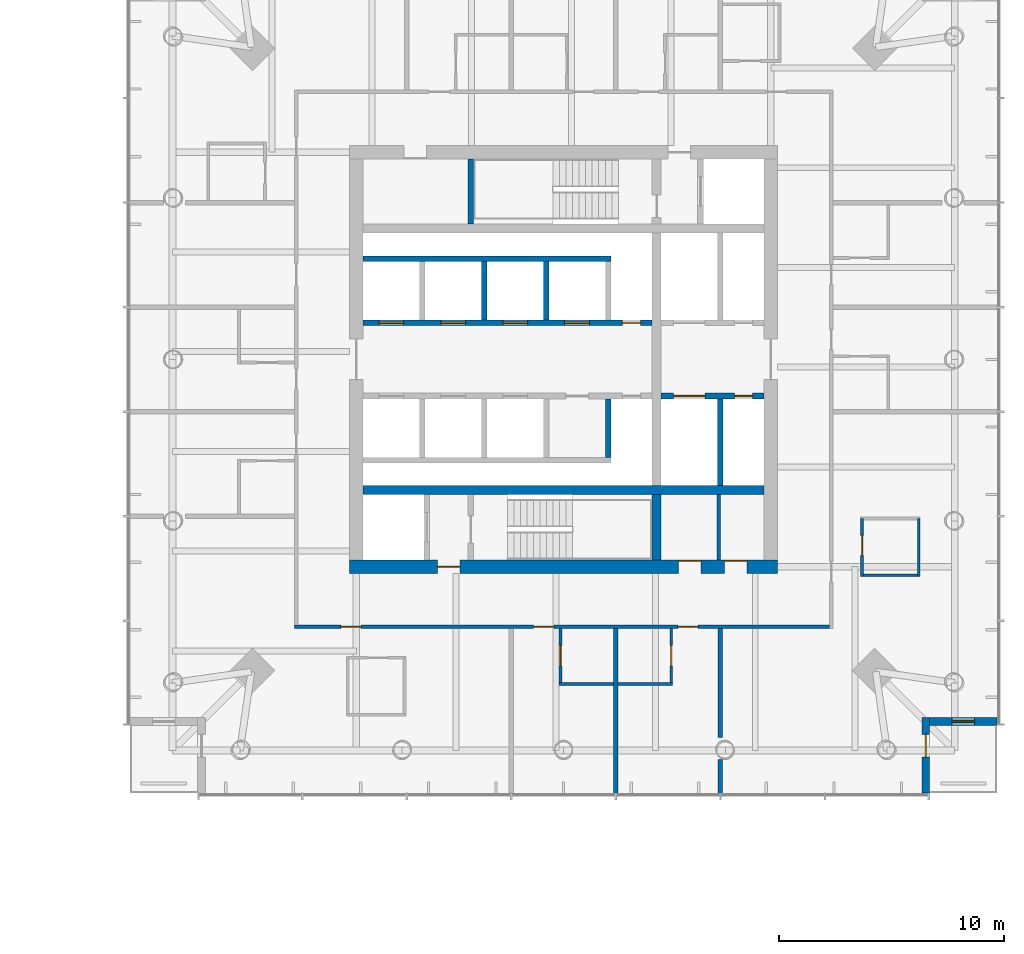
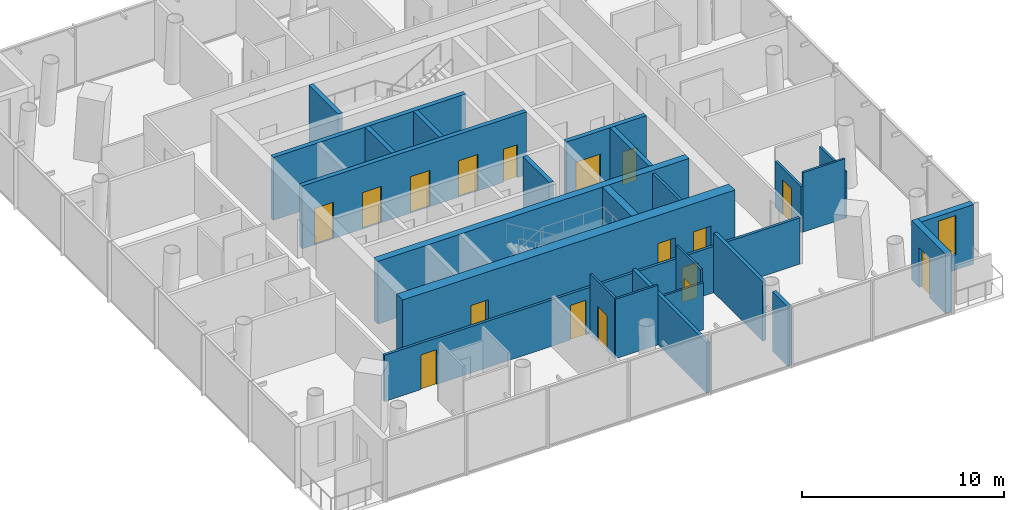
# One storey, part 15 of 21: 25 walls, 17 doors, 1 window, 18 openings.
"""IFC4 building model written with IfcOpenShell, lengths in metres."""

from ifc_helpers import new_model, si_unit, direction, frame, frame_2d, origin, place, context, subcontext, project, spatial, rectangle, extrude, material, layer, layer_set, type_object, element, fill, save


model = new_model("IFC4")

# Units and contexts
model_context = context("Model", 3, precision=1e-05, world=origin(), true_north=direction((0.0, 1.0)))
body_context = subcontext(model_context, "Body", "Model", "MODEL_VIEW")
ifc_project = project(units=[si_unit("LENGTHUNIT", "METRE"), si_unit("AREAUNIT", "SQUARE_METRE"), si_unit("VOLUMEUNIT", "CUBIC_METRE"), si_unit("PLANEANGLEUNIT", "RADIAN"), si_unit("MASSUNIT", "GRAM", prefix="KILO")], contexts=[model_context])

# Site, building, storey
site_placement = place(None, origin())
site = spatial("IfcSite", under=ifc_project, at=site_placement, CompositionType="ELEMENT")
building_placement = place(site_placement, origin())
building = spatial("IfcBuilding", under=site, at=building_placement, Name="Ostroluk Exchange", CompositionType="ELEMENT")
storey_placement = place(building_placement, frame((0.0, 0.0, 59.0)))
storey = spatial("IfcBuildingStorey", under=building, at=storey_placement, Name="L14", CompositionType="ELEMENT", Elevation=59.0)

# Walls
ifc_material_1 = material(Name="Concrete blockwork", Category="masonry")
ifc_layer_1 = layer(ifc_material_1, 0.14990234375)
ifc_layer_set_1 = layer_set([ifc_layer_1], Name="Blockwork plant room wall 150")
wall_type_1 = type_object("IfcWallType", Name="Blockwork plant room wall 150", PredefinedType="SOLIDWALL", material=ifc_layer_set_1)
wall_1_placement = place(storey_placement, frame((123.88916015625, 37.10009765625, 0.0), z_axis=(0.0, 0.0, 1.0), x_axis=(0.0, 1.0, 0.0)))
element("IfcWall", 1, at=wall_1_placement, inside=storey, type_object=wall_type_1, Name="Core room wall", PredefinedType="SOLIDWALL", context=body_context, shape_type="SweptSolid", body=[
    extrude(rectangle(XDim=2.89990234375, YDim=0.14990234375, at=frame_2d((1.449951171875, 0.0))), origin(), (0.0, 0.0, 1.0), 3.60009765625),
])
ifc_material_2 = material(Name="Concrete C50/60", Category="concrete")
ifc_layer_2 = layer(ifc_material_2, 0.39990234375)
ifc_layer_set_2 = layer_set([ifc_layer_2], Name="Core cross wall 400 C50/60")
wall_type_2 = type_object("IfcWallType", Name="Core cross wall 400 C50/60", PredefinedType="SHEAR", material=ifc_layer_set_2)
wall_2_placement = place(storey_placement, frame((108.10009765625, 40.199951171875, 0.0), z_axis=(0.0, 0.0, 1.0), x_axis=(1.0, 0.0, 0.0)))
element("IfcWall", 2, at=wall_2_placement, inside=storey, type_object=wall_type_2, Name="T2 core wall XS", PredefinedType="SHEAR", context=body_context, shape_type="SweptSolid", body=[
    extrude(rectangle(XDim=17.7998046875, YDim=0.39990234375, at=frame_2d((8.89990234375, 0.0))), origin(), (0.0, 0.0, 1.0), 3.800048828125),
])
wall_3_placement = place(storey_placement, frame((121.1298828125, 37.10009765625, 0.0), z_axis=(0.0, 0.0, 1.0), x_axis=(0.0, 1.0, 0.0)))
element("IfcWall", 3, at=wall_3_placement, inside=storey, type_object=wall_type_2, Name="T2 core wall YE1", PredefinedType="SHEAR", context=body_context, shape_type="SweptSolid", body=[
    extrude(rectangle(XDim=2.89990234375, YDim=0.39990234375, at=frame_2d((1.449951171875, 0.0))), origin(), (0.0, 0.0, 1.0), 3.800048828125),
])
ifc_material_3 = material(Name="Concrete C40/50", Category="concrete")
ifc_layer_3 = layer(ifc_material_3, 0.25)
ifc_layer_set_3 = layer_set([ifc_layer_3], Name="Core shaft wall 250")
wall_type_3 = type_object("IfcWallType", Name="Core shaft wall 250", PredefinedType="SHEAR", material=ifc_layer_set_3)
wall_4_placement = place(storey_placement, frame((112.875, 52.0, 0.0), z_axis=(0.0, 0.0, 1.0), x_axis=(0.0, 1.0, 0.0)))
element("IfcWall", 4, at=wall_4_placement, inside=storey, type_object=wall_type_3, Name="Stair shaft wall", PredefinedType="SHEAR", context=body_context, shape_type="SweptSolid", body=[
    extrude(rectangle(XDim=2.89990234375, YDim=0.25, at=frame_2d((1.449951171875, 0.0))), origin(), (0.0, 0.0, 1.0), 3.800048828125),
])
for number, where, z_axis, x_axis, name in (
    (5, (113.47509765625, 47.75, 0.0), (0.0, 0.0, 1.0), (0.0, 1.0, 0.0), "Lift shaft wall"),
    (6, (116.22509765625, 47.75, 0.0), (0.0, 0.0, 1.0), (0.0, 1.0, 0.0), "Lift shaft wall"),
):
    element("IfcWall", number, at=place(storey_placement, frame(where, z_axis=z_axis, x_axis=x_axis)), inside=storey, type_object=wall_type_3, Name=name, PredefinedType="SHEAR", context=body_context, shape_type="SweptSolid", body=[
        extrude(rectangle(XDim=2.60009765625, YDim=0.25, at=frame_2d((1.300048828125, 0.0))), origin(), (0.0, 0.0, 1.0), 3.800048828125),
    ])
wall_5_placement = place(storey_placement, frame((108.10009765625, 50.47509765625, 0.0), z_axis=(0.0, 0.0, 1.0), x_axis=(1.0, 0.0, 0.0)))
element("IfcWall", 7, at=wall_5_placement, inside=storey, type_object=wall_type_3, Name="Lift shaft wall", PredefinedType="SHEAR", context=body_context, shape_type="SweptSolid", body=[
    extrude(rectangle(XDim=11.0, YDim=0.25, at=frame_2d((5.5, 0.0))), origin(), (0.0, 0.0, 1.0), 3.800048828125),
])

# Wall, openings, doors
wall_6_placement = place(storey_placement, frame((108.10009765625, 47.625, 0.0), z_axis=(0.0, 0.0, 1.0), x_axis=(1.0, 0.0, 0.0)))
wall_6 = element("IfcWall", 8, at=wall_6_placement, inside=storey, type_object=wall_type_3, Name="Lift shaft front wall", PredefinedType="SHEAR", context=body_context, shape_type="SweptSolid", body=[
    extrude(rectangle(XDim=12.829833984375, YDim=0.25, at=frame_2d((6.4150390625, 0.0))), origin(), (0.0, 0.0, 1.0), 3.800048828125),
])
opening_1_placement = place(wall_6_placement, frame((0.699951171875, 0.0, 0.0)))
opening_1 = element("IfcOpeningElement", 9, at=opening_1_placement, cuts=wall_6, Name="Opening LD", PredefinedType="OPENING", context=body_context, shape_type="SweptSolid", body=[
    extrude(rectangle(XDim=1.10009765625, YDim=2.199951171875, at=frame_2d((0.550048828125, 1.10009765625))), frame((0.0, 0.135009765625, 0.0), z_axis=(0.0, -1.0, 0.0), x_axis=(1.0, 0.0, 0.0)), (0.0, 0.0, 1.0), 0.27001953125),
])
opening_2_placement = place(wall_6_placement, frame((3.449951171875, 0.0, 0.0)))
opening_2 = element("IfcOpeningElement", 10, at=opening_2_placement, cuts=wall_6, Name="Opening LD", PredefinedType="OPENING", context=body_context, shape_type="SweptSolid", body=[
    extrude(rectangle(XDim=1.10009765625, YDim=2.199951171875, at=frame_2d((0.550048828125, 1.10009765625))), frame((0.0, 0.135009765625, 0.0), z_axis=(0.0, -1.0, 0.0), x_axis=(1.0, 0.0, 0.0)), (0.0, 0.0, 1.0), 0.27001953125),
])
opening_3_placement = place(wall_6_placement, frame((6.199951171875, 0.0, 0.0)))
opening_3 = element("IfcOpeningElement", 11, at=opening_3_placement, cuts=wall_6, Name="Opening LD", PredefinedType="OPENING", context=body_context, shape_type="SweptSolid", body=[
    extrude(rectangle(XDim=1.10009765625, YDim=2.199951171875, at=frame_2d((0.550048828125, 1.10009765625))), frame((0.0, 0.135009765625, 0.0), z_axis=(0.0, -1.0, 0.0), x_axis=(1.0, 0.0, 0.0)), (0.0, 0.0, 1.0), 0.27001953125),
])
opening_4_placement = place(wall_6_placement, frame((8.949951171875, 0.0, 0.0)))
opening_4 = element("IfcOpeningElement", 12, at=opening_4_placement, cuts=wall_6, Name="Opening LD", PredefinedType="OPENING", context=body_context, shape_type="SweptSolid", body=[
    extrude(rectangle(XDim=1.10009765625, YDim=2.199951171875, at=frame_2d((0.550048828125, 1.10009765625))), frame((0.0, 0.135009765625, 0.0), z_axis=(0.0, -1.0, 0.0), x_axis=(1.0, 0.0, 0.0)), (0.0, 0.0, 1.0), 0.27001953125),
])
opening_5_placement = place(wall_6_placement, frame((11.514892578125, 0.0, 0.0)))
opening_5 = element("IfcOpeningElement", 13, at=opening_5_placement, cuts=wall_6, Name="Opening RD60", PredefinedType="OPENING", context=body_context, shape_type="SweptSolid", body=[
    extrude(rectangle(XDim=0.800048828125, YDim=2.0, at=frame_2d((0.39990234375, 1.0))), frame((0.0, 0.135009765625, 0.0), z_axis=(0.0, -1.0, 0.0), x_axis=(1.0, 0.0, 0.0)), (0.0, 0.0, 1.0), 0.27001953125),
])
ifc_material_4 = material(Name="Stainless steel", Category="steel")
door_type_1 = type_object("IfcDoorType", Name="Lift landing door E 60 1100 x 2200", OperationType="DOUBLE_DOOR_SLIDING", PredefinedType="DOOR", material=ifc_material_4)
door_1_placement = place(opening_1_placement, origin())
door_1 = element("IfcDoor", 14, at=door_1_placement, inside=storey, type_object=door_type_1, Name="Lift HL1 landing door", OperationType="DOUBLE_DOOR_SLIDING", OverallHeight=2.199951171875, OverallWidth=1.10009765625, PredefinedType="DOOR", context=body_context, shape_type="SweptSolid", body=[
    extrude(rectangle(XDim=1.10009765625, YDim=2.199951171875, at=frame_2d((0.550048828125, 1.10009765625))), frame((0.0, 0.02490234375, 0.0), z_axis=(0.0, -1.0, 0.0), x_axis=(1.0, 0.0, 0.0)), (0.0, 0.0, 1.0), 0.050048828125),
])
fill(opening_1, door_1)
door_2_placement = place(opening_2_placement, origin())
door_2 = element("IfcDoor", 15, at=door_2_placement, inside=storey, type_object=door_type_1, Name="Lift HL2 landing door", OperationType="DOUBLE_DOOR_SLIDING", OverallHeight=2.199951171875, OverallWidth=1.10009765625, PredefinedType="DOOR", context=body_context, shape_type="SweptSolid", body=[
    extrude(rectangle(XDim=1.10009765625, YDim=2.199951171875, at=frame_2d((0.550048828125, 1.10009765625))), frame((0.0, 0.02490234375, 0.0), z_axis=(0.0, -1.0, 0.0), x_axis=(1.0, 0.0, 0.0)), (0.0, 0.0, 1.0), 0.050048828125),
])
fill(opening_2, door_2)
door_3_placement = place(opening_3_placement, origin())
door_3 = element("IfcDoor", 16, at=door_3_placement, inside=storey, type_object=door_type_1, Name="Lift HL3 landing door", OperationType="DOUBLE_DOOR_SLIDING", OverallHeight=2.199951171875, OverallWidth=1.10009765625, PredefinedType="DOOR", context=body_context, shape_type="SweptSolid", body=[
    extrude(rectangle(XDim=1.10009765625, YDim=2.199951171875, at=frame_2d((0.550048828125, 1.10009765625))), frame((0.0, 0.02490234375, 0.0), z_axis=(0.0, -1.0, 0.0), x_axis=(1.0, 0.0, 0.0)), (0.0, 0.0, 1.0), 0.050048828125),
])
fill(opening_3, door_3)
door_4_placement = place(opening_4_placement, origin())
door_4 = element("IfcDoor", 17, at=door_4_placement, inside=storey, type_object=door_type_1, Name="Lift HL4 landing door", OperationType="DOUBLE_DOOR_SLIDING", OverallHeight=2.199951171875, OverallWidth=1.10009765625, PredefinedType="DOOR", context=body_context, shape_type="SweptSolid", body=[
    extrude(rectangle(XDim=1.10009765625, YDim=2.199951171875, at=frame_2d((0.550048828125, 1.10009765625))), frame((0.0, 0.02490234375, 0.0), z_axis=(0.0, -1.0, 0.0), x_axis=(1.0, 0.0, 0.0)), (0.0, 0.0, 1.0), 0.050048828125),
])
fill(opening_4, door_4)
ifc_material_5 = material(Name="Steel", Category="steel")
door_type_2 = type_object("IfcDoorType", Name="Riser access door EI 60 800 x 2000", OperationType="SINGLE_SWING_LEFT", PredefinedType="DOOR", material=ifc_material_5)
door_5_placement = place(opening_5_placement, origin())
door_5 = element("IfcDoor", 18, at=door_5_placement, inside=storey, type_object=door_type_2, Name="Riser access door", OperationType="SINGLE_SWING_RIGHT", OverallHeight=2.0, OverallWidth=0.800048828125, PredefinedType="DOOR", context=body_context, shape_type="SweptSolid", body=[
    extrude(rectangle(XDim=0.800048828125, YDim=2.0, at=frame_2d((0.39990234375, 1.0))), frame((0.0, 0.02490234375, 0.0), z_axis=(0.0, -1.0, 0.0), x_axis=(1.0, 0.0, 0.0)), (0.0, 0.0, 1.0), 0.050048828125),
])
fill(opening_5, door_5)

# Walls
wall_7_placement = place(storey_placement, frame((118.97509765625, 44.25, 0.0), z_axis=(0.0, 0.0, 1.0), x_axis=(0.0, -1.0, 0.0)))
element("IfcWall", 19, at=wall_7_placement, inside=storey, type_object=wall_type_3, Name="Lift shaft wall", PredefinedType="SHEAR", context=body_context, shape_type="SweptSolid", body=[
    extrude(rectangle(XDim=2.60009765625, YDim=0.25, at=frame_2d((1.300048828125, 0.0))), origin(), (0.0, 0.0, 1.0), 3.800048828125),
])
wall_8_placement = place(storey_placement, frame((123.955078125, 44.25, 0.0), z_axis=(0.0, 0.0, 1.0), x_axis=(0.0, -1.0, 0.0)))
element("IfcWall", 20, at=wall_8_placement, inside=storey, type_object=wall_type_3, Name="Lift shaft wall", PredefinedType="SHEAR", context=body_context, shape_type="SweptSolid", body=[
    extrude(rectangle(XDim=3.85009765625, YDim=0.25, at=frame_2d((1.925048828125, 0.0))), origin(), (0.0, 0.0, 1.0), 3.800048828125),
])

# Wall, openings, doors
wall_9_placement = place(storey_placement, frame((121.330078125, 44.375, 0.0), z_axis=(0.0, 0.0, 1.0), x_axis=(1.0, 0.0, 0.0)))
wall_9 = element("IfcWall", 21, at=wall_9_placement, inside=storey, type_object=wall_type_3, Name="Lift shaft front wall", PredefinedType="SHEAR", context=body_context, shape_type="SweptSolid", body=[
    extrude(rectangle(XDim=4.56982421875, YDim=0.25, at=frame_2d((2.284912109375, 0.0))), origin(), (0.0, 0.0, 1.0), 3.800048828125),
])
opening_6_placement = place(wall_9_placement, frame((0.550048828125, 0.0, 0.0)))
opening_6 = element("IfcOpeningElement", 22, at=opening_6_placement, cuts=wall_9, Name="Opening LD3", PredefinedType="OPENING", context=body_context, shape_type="SweptSolid", body=[
    extrude(rectangle(XDim=1.39990234375, YDim=2.39990234375, at=frame_2d((0.699951171875, 1.199951171875))), frame((0.0, 0.135009765625, 0.0), z_axis=(0.0, -1.0, 0.0), x_axis=(1.0, 0.0, 0.0)), (0.0, 0.0, 1.0), 0.27001953125),
])
opening_7_placement = place(wall_9_placement, frame((3.260009765625, 0.0, 0.0)))
opening_7 = element("IfcOpeningElement", 23, at=opening_7_placement, cuts=wall_9, Name="Opening RD60", PredefinedType="OPENING", context=body_context, shape_type="SweptSolid", body=[
    extrude(rectangle(XDim=0.800048828125, YDim=2.0, at=frame_2d((0.39990234375, 1.0))), frame((0.0, 0.135009765625, 0.0), z_axis=(0.0, -1.0, 0.0), x_axis=(1.0, 0.0, 0.0)), (0.0, 0.0, 1.0), 0.27001953125),
])
ifc_material_6 = material(Name="Stainless steel", Category="steel")
door_type_3 = type_object("IfcDoorType", Name="Goods lift landing door E 60 1400 x 2400", OperationType="DOUBLE_DOOR_SLIDING", PredefinedType="DOOR", material=ifc_material_6)
door_6_placement = place(opening_6_placement, origin())
door_6 = element("IfcDoor", 24, at=door_6_placement, inside=storey, type_object=door_type_3, Name="Lift HS2 landing door", OperationType="DOUBLE_DOOR_SLIDING", OverallHeight=2.39990234375, OverallWidth=1.39990234375, PredefinedType="DOOR", context=body_context, shape_type="SweptSolid", body=[
    extrude(rectangle(XDim=1.39990234375, YDim=2.39990234375, at=frame_2d((0.699951171875, 1.199951171875))), frame((0.0, 0.02490234375, 0.0), z_axis=(0.0, -1.0, 0.0), x_axis=(1.0, 0.0, 0.0)), (0.0, 0.0, 1.0), 0.050048828125),
])
fill(opening_6, door_6)
door_7_placement = place(opening_7_placement, origin())
door_7 = element("IfcDoor", 25, at=door_7_placement, inside=storey, type_object=door_type_2, Name="Riser access door", OperationType="SINGLE_SWING_RIGHT", OverallHeight=2.0, OverallWidth=0.800048828125, PredefinedType="DOOR", context=body_context, shape_type="SweptSolid", body=[
    extrude(rectangle(XDim=0.800048828125, YDim=2.0, at=frame_2d((0.39990234375, 1.0))), frame((0.0, 0.02490234375, 0.0), z_axis=(0.0, -1.0, 0.0), x_axis=(1.0, 0.0, 0.0)), (0.0, 0.0, 1.0), 0.050048828125),
])
fill(opening_7, door_7)

ifc_material_7 = material(Name="Concrete C50/60", Category="concrete")
ifc_layer_4 = layer(ifc_material_7, 0.60009765625)
ifc_layer_set_4 = layer_set([ifc_layer_4], Name="Core wall 600 C50/60")
wall_type_4 = type_object("IfcWallType", Name="Core wall 600 C50/60", PredefinedType="SHEAR", material=ifc_layer_set_4)
wall_10_placement = place(storey_placement, frame((107.5, 36.800048828125, 0.0), z_axis=(0.0, 0.0, 1.0), x_axis=(1.0, 0.0, 0.0)))
wall_10 = element("IfcWall", 26, at=wall_10_placement, inside=storey, type_object=wall_type_4, Name="T2 core wall S", PredefinedType="SHEAR", context=body_context, shape_type="SweptSolid", body=[
    extrude(rectangle(XDim=19.0, YDim=0.60009765625, at=frame_2d((9.5, 0.0))), origin(), (0.0, 0.0, 1.0), 3.800048828125),
])
opening_8_placement = place(wall_10_placement, frame((3.89990234375, 0.0, 0.0)))
opening_8 = element("IfcOpeningElement", 27, at=opening_8_placement, cuts=wall_10, Name="Opening FD60", PredefinedType="OPENING", context=body_context, shape_type="SweptSolid", body=[
    extrude(rectangle(XDim=1.0, YDim=2.10009765625, at=frame_2d((0.5, 1.050048828125))), frame((0.0, 0.31005859375, 0.0), z_axis=(0.0, -1.0, 0.0), x_axis=(1.0, 0.0, 0.0)), (0.0, 0.0, 1.0), 0.6201171875),
])
opening_9_placement = place(wall_10_placement, frame((14.609619140625, 0.0, 0.0)))
opening_9 = element("IfcOpeningElement", 28, at=opening_9_placement, cuts=wall_10, Name="Opening FD60", PredefinedType="OPENING", context=body_context, shape_type="SweptSolid", body=[
    extrude(rectangle(XDim=1.0, YDim=2.10009765625, at=frame_2d((0.5, 1.050048828125))), frame((0.0, 0.31005859375, 0.0), z_axis=(0.0, -1.0, 0.0), x_axis=(1.0, 0.0, 0.0)), (0.0, 0.0, 1.0), 0.6201171875),
])
opening_10_placement = place(wall_10_placement, frame((16.63916015625, 0.0, 0.0)))
opening_10 = element("IfcOpeningElement", 29, at=opening_10_placement, cuts=wall_10, Name="Opening FD60", PredefinedType="OPENING", context=body_context, shape_type="SweptSolid", body=[
    extrude(rectangle(XDim=1.0, YDim=2.10009765625, at=frame_2d((0.5, 1.050048828125))), frame((0.0, 0.31005859375, 0.0), z_axis=(0.0, -1.0, 0.0), x_axis=(1.0, 0.0, 0.0)), (0.0, 0.0, 1.0), 0.6201171875),
])
ifc_material_8 = material(Name="Steel", Category="steel")
door_type_4 = type_object("IfcDoorType", Name="Fire door EI 60 1000 x 2100", OperationType="SINGLE_SWING_LEFT", PredefinedType="DOOR", material=ifc_material_8)
door_8_placement = place(opening_8_placement, origin())
door_8 = element("IfcDoor", 30, at=door_8_placement, inside=storey, type_object=door_type_4, Name="Firefighting lobby door", OperationType="SINGLE_SWING_LEFT", OverallHeight=2.10009765625, OverallWidth=1.0, PredefinedType="DOOR", context=body_context, shape_type="SweptSolid", body=[
    extrude(rectangle(XDim=1.0, YDim=2.10009765625, at=frame_2d((0.5, 1.050048828125))), frame((0.0, 0.02490234375, 0.0), z_axis=(0.0, -1.0, 0.0), x_axis=(1.0, 0.0, 0.0)), (0.0, 0.0, 1.0), 0.050048828125),
])
fill(opening_8, door_8)
door_9_placement = place(opening_9_placement, origin())
door_9 = element("IfcDoor", 31, at=door_9_placement, inside=storey, type_object=door_type_4, Name="Guest pantry door", OperationType="SINGLE_SWING_RIGHT", OverallHeight=2.10009765625, OverallWidth=1.0, PredefinedType="DOOR", context=body_context, shape_type="SweptSolid", body=[
    extrude(rectangle(XDim=1.0, YDim=2.10009765625, at=frame_2d((0.5, 1.050048828125))), frame((0.0, 0.2900390625, 0.0), z_axis=(0.0, -1.0, 0.0), x_axis=(1.0, 0.0, 0.0)), (0.0, 0.0, 1.0), 0.050048828125),
])
fill(opening_9, door_9)
door_10_placement = place(opening_10_placement, origin())
door_10 = element("IfcDoor", 32, at=door_10_placement, inside=storey, type_object=door_type_4, Name="Luggage store door", OperationType="SINGLE_SWING_RIGHT", OverallHeight=2.10009765625, OverallWidth=1.0, PredefinedType="DOOR", context=body_context, shape_type="SweptSolid", body=[
    extrude(rectangle(XDim=1.0, YDim=2.10009765625, at=frame_2d((0.5, 1.050048828125))), frame((0.0, 0.2900390625, 0.0), z_axis=(0.0, -1.0, 0.0), x_axis=(1.0, 0.0, 0.0)), (0.0, 0.0, 1.0), 0.050048828125),
])
fill(opening_10, door_10)

# Wall, opening, door
ifc_material_9 = material(Name="Limestone", Category="masonry")
ifc_layer_5 = layer(ifc_material_9, 0.35009765625)
ifc_layer_set_5 = layer_set([ifc_layer_5], Name="Limestone facade wall 350")
wall_type_5 = type_object("IfcWallType", Name="Limestone facade wall 350", PredefinedType="SOLIDWALL", material=ifc_layer_set_5)
wall_11_placement = place(storey_placement, frame((133.074951171875, 26.75, 0.0), z_axis=(0.0, 0.0, 1.0), x_axis=(0.0, 1.0, 0.0)))
wall_11 = element("IfcWall", 33, at=wall_11_placement, inside=storey, type_object=wall_type_5, Name="Hotel tower SE corner wall L14 a", PredefinedType="SOLIDWALL", context=body_context, shape_type="SweptSolid", body=[
    extrude(rectangle(XDim=3.35009765625, YDim=0.35009765625, at=frame_2d((1.675048828125, 0.0))), origin(), (0.0, 0.0, 1.0), 3.60009765625),
])
opening_11_placement = place(wall_11_placement, frame((1.60009765625, 0.0, 0.0)))
opening_11 = element("IfcOpeningElement", 34, at=opening_11_placement, cuts=wall_11, Name="Opening D-B1", PredefinedType="OPENING", context=body_context, shape_type="SweptSolid", body=[
    extrude(rectangle(XDim=1.0, YDim=2.39990234375, at=frame_2d((0.5, 1.199951171875))), frame((0.0, 0.18505859375, 0.0), z_axis=(0.0, -1.0, 0.0), x_axis=(1.0, 0.0, 0.0)), (0.0, 0.0, 1.0), 0.3701171875),
])
ifc_material_10 = material(Name="Bronze framed glazed door", Category="aluminium")
door_type_5 = type_object("IfcDoorType", Name="Balcony door 1000 x 2400", OperationType="SINGLE_SWING_LEFT", PredefinedType="DOOR", material=ifc_material_10)
door_11_placement = place(opening_11_placement, origin())
door_11 = element("IfcDoor", 35, at=door_11_placement, inside=storey, type_object=door_type_5, Name="Hotel tower SE balcony door L14", OperationType="SINGLE_SWING_RIGHT", OverallHeight=2.39990234375, OverallWidth=1.0, PredefinedType="DOOR", context=body_context, shape_type="SweptSolid", body=[
    extrude(rectangle(XDim=1.0, YDim=2.39990234375, at=frame_2d((0.5, 1.199951171875))), frame((0.0, 0.02490234375, 0.0), z_axis=(0.0, -1.0, 0.0), x_axis=(1.0, 0.0, 0.0)), (0.0, 0.0, 1.0), 0.050048828125),
])
fill(opening_11, door_11)

# Wall, opening, window
wall_12_placement = place(storey_placement, frame((133.25, 29.925048828125, 0.0), z_axis=(0.0, 0.0, 1.0), x_axis=(1.0, 0.0, 0.0)))
wall_12 = element("IfcWall", 36, at=wall_12_placement, inside=storey, type_object=wall_type_5, Name="Hotel tower SE corner wall L14 b", PredefinedType="SOLIDWALL", context=body_context, shape_type="SweptSolid", body=[
    extrude(rectangle(XDim=3.0, YDim=0.35009765625, at=frame_2d((1.5, 0.0))), origin(), (0.0, 0.0, 1.0), 3.60009765625),
])
opening_12_placement = place(wall_12_placement, frame((1.0, 0.0, 0.89990234375)))
opening_12 = element("IfcOpeningElement", 37, at=opening_12_placement, cuts=wall_12, Name="Opening WN-L3", PredefinedType="OPENING", context=body_context, shape_type="SweptSolid", body=[
    extrude(rectangle(XDim=1.0, YDim=2.39990234375, at=frame_2d((0.5, 1.199951171875))), frame((0.0, 0.18505859375, 0.0), z_axis=(0.0, -1.0, 0.0), x_axis=(1.0, 0.0, 0.0)), (0.0, 0.0, 1.0), 0.3701171875),
])
ifc_material_11 = material(Name="Laminated clear glass", Category="glass")
window_type = type_object("IfcWindowType", Name="Hotel lancet window 1000 x 2400", PartitioningType="SINGLE_PANEL", PredefinedType="WINDOW", material=ifc_material_11)
window_placement = place(opening_12_placement, origin())
window = element("IfcWindow", 38, at=window_placement, inside=storey, type_object=window_type, Name="Hotel tower SE lancet window L14", OverallHeight=2.39990234375, OverallWidth=1.0, PartitioningType="SINGLE_PANEL", PredefinedType="WINDOW", context=body_context, shape_type="SweptSolid", body=[
    extrude(rectangle(XDim=1.0, YDim=2.39990234375, at=frame_2d((0.5, 1.199951171875))), frame((0.0, 0.030029296875, 0.0), z_axis=(0.0, -1.0, 0.0), x_axis=(1.0, 0.0, 0.0)), (0.0, 0.0, 1.0), 0.06005859375),
])
fill(opening_12, window)

# Wall, opening, door
ifc_material_12 = material(Name="Gypsum plasterboard partition, moisture resistant", Category="gypsum")
ifc_layer_6 = layer(ifc_material_12, 0.1201171875)
ifc_layer_set_6 = layer_set([ifc_layer_6], Name="Plasterboard en-suite wall 120")
wall_type_6 = type_object("IfcWallType", Name="Plasterboard en-suite wall 120", PredefinedType="PARTITIONING", material=ifc_layer_set_6)
wall_13_placement = place(storey_placement, frame((130.25, 38.935791015625, 0.0), z_axis=(0.0, 0.0, 1.0), x_axis=(0.0, -1.0, 0.0)))
wall_13 = element("IfcWall", 39, at=wall_13_placement, inside=storey, type_object=wall_type_6, Name="En-suite wall", PredefinedType="PARTITIONING", context=body_context, shape_type="SweptSolid", body=[
    extrude(rectangle(XDim=2.580078125, YDim=0.1201171875, at=frame_2d((1.2900390625, 0.0))), origin(), (0.0, 0.0, 1.0), 2.800048828125),
])
opening_13_placement = place(wall_13_placement, frame((0.75, 0.0, 0.0)))
opening_13 = element("IfcOpeningElement", 40, at=opening_13_placement, cuts=wall_13, Name="Opening D-02", PredefinedType="OPENING", context=body_context, shape_type="SweptSolid", body=[
    extrude(rectangle(XDim=0.89990234375, YDim=2.10009765625, at=frame_2d((0.449951171875, 1.050048828125))), frame((0.0, 0.070068359375, 0.0), z_axis=(0.0, -1.0, 0.0), x_axis=(1.0, 0.0, 0.0)), (0.0, 0.0, 1.0), 0.14013671875),
])
ifc_material_13 = material(Name="Timber", Category="wood")
door_type_6 = type_object("IfcDoorType", Name="En-suite door 900 x 2100", OperationType="SINGLE_SWING_LEFT", PredefinedType="DOOR", material=ifc_material_13)
door_12_placement = place(opening_13_placement, origin())
door_12 = element("IfcDoor", 41, at=door_12_placement, inside=storey, type_object=door_type_6, Name="En-suite door 1401", OperationType="SINGLE_SWING_LEFT", OverallHeight=2.10009765625, OverallWidth=0.89990234375, PredefinedType="DOOR", context=body_context, shape_type="SweptSolid", body=[
    extrude(rectangle(XDim=0.89990234375, YDim=2.10009765625, at=frame_2d((0.449951171875, 1.050048828125))), frame((0.0, 0.02490234375, 0.0), z_axis=(0.0, -1.0, 0.0), x_axis=(1.0, 0.0, 0.0)), (0.0, 0.0, 1.0), 0.050048828125),
])
fill(opening_13, door_12)

# Walls
wall_14_placement = place(storey_placement, frame((132.77001953125, 38.935791015625, 0.0), z_axis=(0.0, 0.0, 1.0), x_axis=(0.0, -1.0, 0.0)))
element("IfcWall", 42, at=wall_14_placement, inside=storey, type_object=wall_type_6, Name="En-suite wall", PredefinedType="PARTITIONING", context=body_context, shape_type="SweptSolid", body=[
    extrude(rectangle(XDim=2.580078125, YDim=0.1201171875, at=frame_2d((1.2900390625, 0.0))), origin(), (0.0, 0.0, 1.0), 2.800048828125),
])
wall_15_placement = place(storey_placement, frame((130.31005859375, 36.415771484375, 0.0), z_axis=(0.0, 0.0, 1.0), x_axis=(1.0, 0.0, 0.0)))
element("IfcWall", 43, at=wall_15_placement, inside=storey, type_object=wall_type_6, Name="En-suite wall", PredefinedType="PARTITIONING", context=body_context, shape_type="SweptSolid", body=[
    extrude(rectangle(XDim=2.39990234375, YDim=0.1201171875, at=frame_2d((1.199951171875, 0.0))), origin(), (0.0, 0.0, 1.0), 3.60009765625),
])
wall_16_placement = place(storey_placement, frame((116.801513671875, 31.590087890625, 0.0), z_axis=(0.0, 0.0, 1.0), x_axis=(1.0, 0.0, 0.0)))
element("IfcWall", 44, at=wall_16_placement, inside=storey, type_object=wall_type_6, Name="En-suite wall", PredefinedType="PARTITIONING", context=body_context, shape_type="SweptSolid", body=[
    extrude(rectangle(XDim=2.419921875, YDim=0.1201171875, at=frame_2d((1.2099609375, 0.0))), origin(), (0.0, 0.0, 1.0), 3.60009765625),
])

# Wall, opening, door
wall_17_placement = place(storey_placement, frame((116.861328125, 34.050048828125, 0.0), z_axis=(0.0, 0.0, 1.0), x_axis=(0.0, -1.0, 0.0)))
wall_17 = element("IfcWall", 45, at=wall_17_placement, inside=storey, type_object=wall_type_6, Name="En-suite wall", PredefinedType="PARTITIONING", context=body_context, shape_type="SweptSolid", body=[
    extrude(rectangle(XDim=2.400146484375, YDim=0.1201171875, at=frame_2d((1.2001953125, 0.0))), origin(), (0.0, 0.0, 1.0), 3.60009765625),
])
opening_14_placement = place(wall_17_placement, frame((0.75, 0.0, 0.0)))
opening_14 = element("IfcOpeningElement", 46, at=opening_14_placement, cuts=wall_17, Name="Opening D-02", PredefinedType="OPENING", context=body_context, shape_type="SweptSolid", body=[
    extrude(rectangle(XDim=0.89990234375, YDim=2.10009765625, at=frame_2d((0.449951171875, 1.050048828125))), frame((0.0, 0.070068359375, 0.0), z_axis=(0.0, -1.0, 0.0), x_axis=(1.0, 0.0, 0.0)), (0.0, 0.0, 1.0), 0.14013671875),
])
door_13_placement = place(opening_14_placement, origin())
door_13 = element("IfcDoor", 47, at=door_13_placement, inside=storey, type_object=door_type_6, Name="En-suite door 1412", OperationType="SINGLE_SWING_RIGHT", OverallHeight=2.10009765625, OverallWidth=0.89990234375, PredefinedType="DOOR", context=body_context, shape_type="SweptSolid", body=[
    extrude(rectangle(XDim=0.89990234375, YDim=2.10009765625, at=frame_2d((0.449951171875, 1.050048828125))), frame((0.0, 0.02490234375, 0.0), z_axis=(0.0, -1.0, 0.0), x_axis=(1.0, 0.0, 0.0)), (0.0, 0.0, 1.0), 0.050048828125),
])
fill(opening_14, door_13)

# Wall
wall_18_placement = place(storey_placement, frame((119.42138671875, 31.590087890625, 0.0), z_axis=(0.0, 0.0, 1.0), x_axis=(1.0, 0.0, 0.0)))
element("IfcWall", 48, at=wall_18_placement, inside=storey, type_object=wall_type_6, Name="En-suite wall", PredefinedType="PARTITIONING", context=body_context, shape_type="SweptSolid", body=[
    extrude(rectangle(XDim=2.419921875, YDim=0.1201171875, at=frame_2d((1.2099609375, 0.0))), origin(), (0.0, 0.0, 1.0), 2.846923828125),
])

# Wall, opening, door
wall_19_placement = place(storey_placement, frame((121.781494140625, 34.050048828125, 0.0), z_axis=(0.0, 0.0, 1.0), x_axis=(0.0, -1.0, 0.0)))
wall_19 = element("IfcWall", 49, at=wall_19_placement, inside=storey, type_object=wall_type_6, Name="En-suite wall", PredefinedType="PARTITIONING", context=body_context, shape_type="SweptSolid", body=[
    extrude(rectangle(XDim=2.400146484375, YDim=0.1201171875, at=frame_2d((1.2001953125, 0.0))), origin(), (0.0, 0.0, 1.0), 3.60009765625),
])
opening_15_placement = place(wall_19_placement, frame((0.75, 0.0, 0.0)))
opening_15 = element("IfcOpeningElement", 50, at=opening_15_placement, cuts=wall_19, Name="Opening D-02", PredefinedType="OPENING", context=body_context, shape_type="SweptSolid", body=[
    extrude(rectangle(XDim=0.89990234375, YDim=2.10009765625, at=frame_2d((0.449951171875, 1.050048828125))), frame((0.0, 0.070068359375, 0.0), z_axis=(0.0, -1.0, 0.0), x_axis=(1.0, 0.0, 0.0)), (0.0, 0.0, 1.0), 0.14013671875),
])
door_14_placement = place(opening_15_placement, origin())
door_14 = element("IfcDoor", 51, at=door_14_placement, inside=storey, type_object=door_type_6, Name="En-suite door 1413", OperationType="SINGLE_SWING_RIGHT", OverallHeight=2.10009765625, OverallWidth=0.89990234375, PredefinedType="DOOR", context=body_context, shape_type="SweptSolid", body=[
    extrude(rectangle(XDim=0.89990234375, YDim=2.10009765625, at=frame_2d((0.449951171875, 1.050048828125))), frame((0.0, 0.02490234375, 0.0), z_axis=(0.0, -1.0, 0.0), x_axis=(1.0, 0.0, 0.0)), (0.0, 0.0, 1.0), 0.050048828125),
])
fill(opening_15, door_14)

# Wall, openings, doors
ifc_material_14 = material(Name="Gypsum plasterboard partition", Category="gypsum")
ifc_layer_7 = layer(ifc_material_14, 0.14990234375)
ifc_layer_set_7 = layer_set([ifc_layer_7], Name="Plasterboard partition 150")
wall_type_7 = type_object("IfcWallType", Name="Plasterboard partition 150", PredefinedType="PARTITIONING", material=ifc_layer_set_7)
wall_20_placement = place(storey_placement, frame((105.050048828125, 34.125, 0.0), z_axis=(0.0, 0.0, 1.0), x_axis=(1.0, 0.0, 0.0)))
wall_20 = element("IfcWall", 52, at=wall_20_placement, inside=storey, type_object=wall_type_7, Name="Corridor wall", PredefinedType="PARTITIONING", context=body_context, shape_type="SweptSolid", body=[
    extrude(rectangle(XDim=23.75, YDim=0.14990234375, at=frame_2d((11.875, 0.0))), origin(), (0.0, 0.0, 1.0), 2.800048828125),
])
opening_16_placement = place(wall_20_placement, frame((2.06787109375, 0.0, 0.0)))
opening_16 = element("IfcOpeningElement", 53, at=opening_16_placement, cuts=wall_20, Name="Opening D-01", PredefinedType="OPENING", context=body_context, shape_type="SweptSolid", body=[
    extrude(rectangle(XDim=0.89990234375, YDim=2.10009765625, at=frame_2d((0.449951171875, 1.050048828125))), frame((0.0, 0.0849609375, 0.0), z_axis=(0.0, -1.0, 0.0), x_axis=(1.0, 0.0, 0.0)), (0.0, 0.0, 1.0), 0.169921875),
])
opening_17_placement = place(wall_20_placement, frame((10.621337890625, 0.0, 0.0)))
opening_17 = element("IfcOpeningElement", 54, at=opening_17_placement, cuts=wall_20, Name="Opening D-01", PredefinedType="OPENING", context=body_context, shape_type="SweptSolid", body=[
    extrude(rectangle(XDim=0.89990234375, YDim=2.10009765625, at=frame_2d((0.449951171875, 1.050048828125))), frame((0.0, 0.0849609375, 0.0), z_axis=(0.0, -1.0, 0.0), x_axis=(1.0, 0.0, 0.0)), (0.0, 0.0, 1.0), 0.169921875),
])
opening_18_placement = place(wall_20_placement, frame((17.021484375, 0.0, 0.0)))
opening_18 = element("IfcOpeningElement", 55, at=opening_18_placement, cuts=wall_20, Name="Opening D-01", PredefinedType="OPENING", context=body_context, shape_type="SweptSolid", body=[
    extrude(rectangle(XDim=0.89990234375, YDim=2.10009765625, at=frame_2d((0.449951171875, 1.050048828125))), frame((0.0, 0.0849609375, 0.0), z_axis=(0.0, -1.0, 0.0), x_axis=(1.0, 0.0, 0.0)), (0.0, 0.0, 1.0), 0.169921875),
])
ifc_material_15 = material(Name="Timber", Category="wood")
door_type_7 = type_object("IfcDoorType", Name="Hotel room door EI 30 Sa 900 x 2100", OperationType="SINGLE_SWING_LEFT", PredefinedType="DOOR", material=ifc_material_15)
door_15_placement = place(opening_16_placement, origin())
door_15 = element("IfcDoor", 56, at=door_15_placement, inside=storey, type_object=door_type_7, Name="Room door 1411", OperationType="SINGLE_SWING_LEFT", OverallHeight=2.10009765625, OverallWidth=0.89990234375, PredefinedType="DOOR", context=body_context, shape_type="SweptSolid", body=[
    extrude(rectangle(XDim=0.89990234375, YDim=2.10009765625, at=frame_2d((0.449951171875, 1.050048828125))), frame((0.0, 0.02490234375, 0.0), z_axis=(0.0, -1.0, 0.0), x_axis=(1.0, 0.0, 0.0)), (0.0, 0.0, 1.0), 0.050048828125),
])
fill(opening_16, door_15)
door_16_placement = place(opening_17_placement, origin())
door_16 = element("IfcDoor", 57, at=door_16_placement, inside=storey, type_object=door_type_7, Name="Room door 1412", OperationType="SINGLE_SWING_LEFT", OverallHeight=2.10009765625, OverallWidth=0.89990234375, PredefinedType="DOOR", context=body_context, shape_type="SweptSolid", body=[
    extrude(rectangle(XDim=0.89990234375, YDim=2.10009765625, at=frame_2d((0.449951171875, 1.050048828125))), frame((0.0, 0.02490234375, 0.0), z_axis=(0.0, -1.0, 0.0), x_axis=(1.0, 0.0, 0.0)), (0.0, 0.0, 1.0), 0.050048828125),
])
fill(opening_17, door_16)
door_17_placement = place(opening_18_placement, origin())
door_17 = element("IfcDoor", 58, at=door_17_placement, inside=storey, type_object=door_type_7, Name="Room door 1413", OperationType="SINGLE_SWING_RIGHT", OverallHeight=2.10009765625, OverallWidth=0.89990234375, PredefinedType="DOOR", context=body_context, shape_type="SweptSolid", body=[
    extrude(rectangle(XDim=0.89990234375, YDim=2.10009765625, at=frame_2d((0.449951171875, 1.050048828125))), frame((0.0, 0.02490234375, 0.0), z_axis=(0.0, -1.0, 0.0), x_axis=(1.0, 0.0, 0.0)), (0.0, 0.0, 1.0), 0.050048828125),
])
fill(opening_18, door_17)

# Walls
ifc_material_16 = material(Name="Gypsum plasterboard partition", Category="gypsum")
ifc_layer_8 = layer(ifc_material_16, 0.199951171875)
ifc_layer_set_8 = layer_set([ifc_layer_8], Name="Plasterboard party wall 200")
wall_type_8 = type_object("IfcWallType", Name="Plasterboard party wall 200", PredefinedType="PARTITIONING", material=ifc_layer_set_8)
wall_21_placement = place(storey_placement, frame((119.321533203125, 34.050048828125, 0.0), z_axis=(0.0, 0.0, 1.0), x_axis=(0.0, -1.0, 0.0)))
element("IfcWall", 59, at=wall_21_placement, inside=storey, type_object=wall_type_8, Name="Party wall", PredefinedType="PARTITIONING", context=body_context, shape_type="SweptSolid", body=[
    extrude(rectangle(XDim=7.340087890625, YDim=0.199951171875, at=frame_2d((3.669921875, 0.0))), origin(), (0.0, 0.0, 1.0), 3.050048828125),
])
wall_22_placement = place(storey_placement, frame((123.96435546875, 34.050048828125, 0.0), z_axis=(0.0, 0.0, 1.0), x_axis=(0.0, -1.0, 0.0)))
element("IfcWall", 60, at=wall_22_placement, inside=storey, type_object=wall_type_8, Name="Party wall", PredefinedType="PARTITIONING", context=body_context, shape_type="SweptSolid", body=[
    extrude(rectangle(XDim=4.841796875, YDim=0.199951171875, at=frame_2d((2.4208984375, 0.0))), origin(), (0.0, 0.0, 1.0), 3.60009765625),
])
wall_23_placement = place(storey_placement, frame((123.96435546875, 28.2314453125, 0.0), z_axis=(0.0, 0.0, 1.0), x_axis=(0.0, -1.0, 0.0)))
element("IfcWall", 61, at=wall_23_placement, inside=storey, type_object=wall_type_8, Name="Party wall", PredefinedType="PARTITIONING", context=body_context, shape_type="SweptSolid", body=[
    extrude(rectangle(XDim=1.521484375, YDim=0.199951171875, at=frame_2d((0.7607421875, 0.0))), origin(), (0.0, 0.0, 1.0), 3.60009765625),
])

save(model, "model.ifc")
